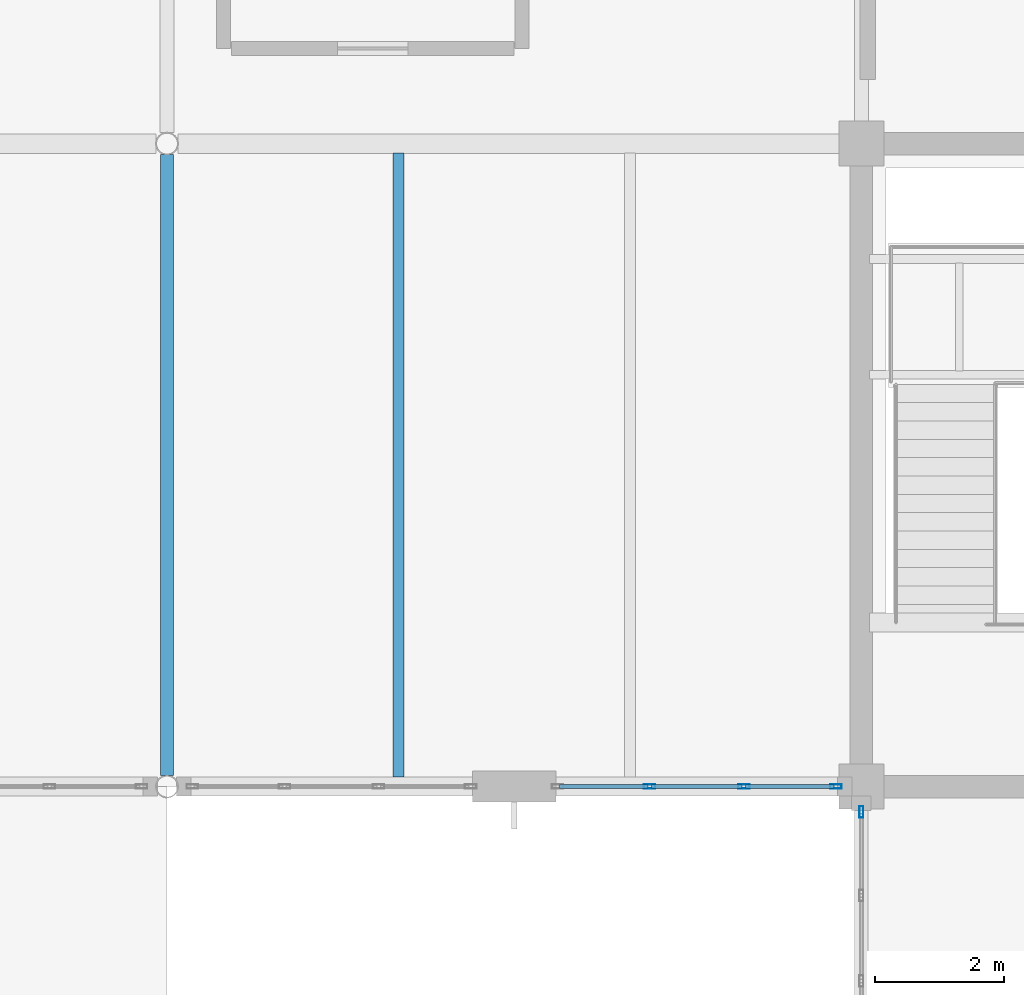
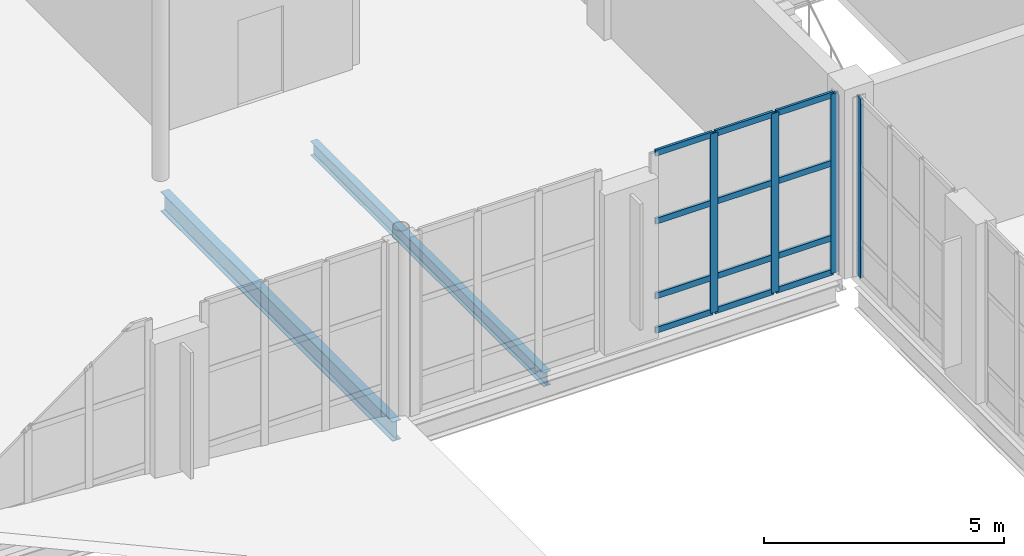
# One storey, part 37 of 92: 16 members, 2 beams, 2 elements without a shape of their own.
"""IFC4 building model written with IfcOpenShell, lengths in metres."""

from ifc_helpers import new_model, si_unit, direction, frame, origin, origin_2d, place, context, subcontext, project, spatial, hollow_rectangle, i_section, extrude, material, layer, layer_set, material_profile, profile_set, type_object, element, aggregate, save


model = new_model("IFC4")

# Units and contexts
model_context = context("Model", 3, precision=1e-05, world=origin(), true_north=direction((0.0, 1.0)))
body_context = subcontext(model_context, "Body", "Model", "MODEL_VIEW")
ifc_project = project(units=[si_unit("LENGTHUNIT", "METRE"), si_unit("AREAUNIT", "SQUARE_METRE"), si_unit("VOLUMEUNIT", "CUBIC_METRE"), si_unit("PLANEANGLEUNIT", "RADIAN"), si_unit("MASSUNIT", "GRAM", prefix="KILO")], contexts=[model_context])

# Site, building, storey
site_placement = place(None, origin())
site = spatial("IfcSite", under=ifc_project, at=site_placement, CompositionType="ELEMENT")
building_placement = place(site_placement, origin())
building = spatial("IfcBuilding", under=site, at=building_placement, Name="Tasgan Crest Museum", CompositionType="ELEMENT")
storey_placement = place(building_placement, frame((0.0, 0.0, 4.800048828125)))
storey = spatial("IfcBuildingStorey", under=building, at=storey_placement, Name="L01", CompositionType="ELEMENT", Elevation=4.800048828125)

# Beams
ifc_material_1 = material(Name="Steel S355J2", Category="steel")
ifc_material_profile_1 = material_profile(ifc_material_1, i_section(OverallWidth=0.199951171875, OverallDepth=0.5, WebThickness=0.01025390625, FlangeThickness=0.01611328125, FilletRadius=0.02099609375, at=origin_2d()), Name="IPE 500")
ifc_profile_set_1 = profile_set([ifc_material_profile_1], Name="Steel S355J2")
beam_type_1 = type_object("IfcBeamType", Name="BM-G-IPE500", PredefinedType="BEAM", material=ifc_profile_set_1)
beam_1_placement = place(storey_placement, frame((97.199951171875, 40.1728515625, -0.489990234375), z_axis=(0.0, 1.0, 0.0), x_axis=(-1.0, 0.0, 0.0)))
element("IfcBeam", 1, at=beam_1_placement, inside=storey, type_object=beam_type_1, Name="Beam L01 10 40.0-50.0", PredefinedType="BEAM", context=body_context, shape_type="SweptSolid", body=[
    extrude(i_section(OverallWidth=0.199951171875, OverallDepth=0.5, WebThickness=0.01025390625, FlangeThickness=0.01611328125, FilletRadius=0.02099609375, at=origin_2d()), origin(), (0.0, 0.0, 1.0), 9.654296875),
])
ifc_material_2 = material(Name="Steel S355J2", Category="steel")
ifc_material_profile_2 = material_profile(ifc_material_2, i_section(OverallWidth=0.169921875, OverallDepth=0.360107421875, WebThickness=0.008056640625, FlangeThickness=0.0126953125, FilletRadius=0.01806640625, at=origin_2d()), Name="IPE 360")
ifc_profile_set_2 = profile_set([ifc_material_profile_2], Name="Steel S355J2")
beam_type_2 = type_object("IfcBeamType", Name="BM-J-IPE360", PredefinedType="JOIST", material=ifc_profile_set_2)
beam_2_placement = place(storey_placement, frame((100.800048828125, 40.14501953125, -0.420166015625), z_axis=(0.0, 1.0, 0.0), x_axis=(-1.0, 0.0, 0.0)))
element("IfcBeam", 2, at=beam_2_placement, inside=storey, type_object=beam_type_2, Name="Secondary joist L01 X=100.8 Y=40.0-50.0", PredefinedType="JOIST", context=body_context, shape_type="SweptSolid", body=[
    extrude(i_section(OverallWidth=0.169921875, OverallDepth=0.360107421875, WebThickness=0.008056640625, FlangeThickness=0.0126953125, FilletRadius=0.01806640625, at=origin_2d()), origin(), (0.0, 0.0, 1.0), 9.7099609375),
])

# Curtain wall, members
ifc_material_3 = material(Name="Triple-Glazed Aluminium Curtain Wall", Category="aluminium")
ifc_layer_1 = layer(ifc_material_3, 0.179931640625, Name="CW-DRUM-X-48")
ifc_layer_set_1 = layer_set([ifc_layer_1], Name="Triple-Glazed Aluminium Curtain Wall")
curtain_wall_type_1 = type_object("IfcCurtainWallType", Name="CW-DRUM-X-48", PredefinedType="NOTDEFINED", material=ifc_layer_set_1)
curtain_wall_1_placement = place(storey_placement, origin())
curtain_wall_1 = element("IfcCurtainWall", 3, at=curtain_wall_1_placement, inside=storey, type_object=curtain_wall_type_1, Name="Curtain wall L01 036", PredefinedType="NOTDEFINED")
ifc_material_4 = material(Name="Anodised Aluminium", Category="aluminium")
ifc_material_profile_3 = material_profile(ifc_material_4, hollow_rectangle(XDim=0.06494140625, YDim=0.179931640625, WallThickness=0.0048828125, at=origin_2d()), Name="ALU MULLION 180x65x5")
ifc_profile_set_3 = profile_set([ifc_material_profile_3], Name="Anodised Aluminium")
member_type_1 = type_object("IfcMemberType", Name="CW-MULLION-180", PredefinedType="MULLION", material=ifc_profile_set_3)
member_1_placement = place(storey_placement, frame((104.708251953125, 40.0, 0.0), z_axis=(0.0, 0.0, 1.0), x_axis=(0.0, 1.0, 0.0)))
member_1 = element("IfcMember", 4, at=member_1_placement, type_object=member_type_1, Name="CW03 mullion 2", PredefinedType="MULLION", context=body_context, shape_type="SweptSolid", body=[
    extrude(hollow_rectangle(XDim=0.06494140625, YDim=0.179931640625, WallThickness=0.0048828125, at=origin_2d()), origin(), (0.0, 0.0, 1.0), 4.56005859375),
])
member_2_placement = place(storey_placement, frame((106.171630859375, 40.0, 0.0), z_axis=(0.0, 0.0, 1.0), x_axis=(0.0, 1.0, 0.0)))
member_2 = element("IfcMember", 5, at=member_2_placement, type_object=member_type_1, Name="CW03 mullion 3", PredefinedType="MULLION", context=body_context, shape_type="SweptSolid", body=[
    extrude(hollow_rectangle(XDim=0.06494140625, YDim=0.179931640625, WallThickness=0.0048828125, at=origin_2d()), origin(), (0.0, 0.0, 1.0), 4.56005859375),
])
member_3_placement = place(storey_placement, frame((107.60498046875, 40.0, 0.0), z_axis=(0.0, 0.0, 1.0), x_axis=(0.0, 1.0, 0.0)))
member_3 = element("IfcMember", 6, at=member_3_placement, type_object=member_type_1, Name="CW03 mullion 4", PredefinedType="MULLION", context=body_context, shape_type="SweptSolid", body=[
    extrude(hollow_rectangle(XDim=0.06494140625, YDim=0.179931640625, WallThickness=0.0048828125, at=origin_2d()), origin(), (0.0, 0.0, 1.0), 4.56005859375),
])

# Curtain wall, member
ifc_material_5 = material(Name="Triple-Glazed Aluminium Curtain Wall", Category="aluminium")
ifc_layer_2 = layer(ifc_material_5, 0.179931640625, Name="CW-PORCH-Y")
ifc_layer_set_2 = layer_set([ifc_layer_2], Name="Triple-Glazed Aluminium Curtain Wall")
curtain_wall_type_2 = type_object("IfcCurtainWallType", Name="CW-PORCH-Y", PredefinedType="NOTDEFINED", material=ifc_layer_set_2)
curtain_wall_2_placement = place(storey_placement, origin())
curtain_wall_2 = element("IfcCurtainWall", 7, at=curtain_wall_2_placement, inside=storey, type_object=curtain_wall_type_2, Name="Curtain wall L01 037", PredefinedType="NOTDEFINED")
member_4_placement = place(storey_placement, frame((108.0, 39.60498046875, 0.0), z_axis=(0.0, 0.0, 1.0), x_axis=(1.0, 0.0, 0.0)))
member_4 = element("IfcMember", 8, at=member_4_placement, type_object=member_type_1, Name="CW02 mullion 1", PredefinedType="MULLION", context=body_context, shape_type="SweptSolid", body=[
    extrude(hollow_rectangle(XDim=0.06494140625, YDim=0.179931640625, WallThickness=0.0048828125, at=origin_2d()), origin(), (0.0, 0.0, 1.0), 4.56005859375),
])
aggregate(curtain_wall_2, [member_4])

# Member
ifc_material_6 = material(Name="Anodised Aluminium", Category="aluminium")
ifc_material_profile_4 = material_profile(ifc_material_6, hollow_rectangle(XDim=0.06005859375, YDim=0.14990234375, WallThickness=0.0048828125, at=origin_2d()), Name="ALU TRANSOM 150x60x5")
ifc_profile_set_4 = profile_set([ifc_material_profile_4], Name="Anodised Aluminium")
member_type_2 = type_object("IfcMemberType", Name="CW-TRANSOM-150", PredefinedType="USERDEFINED", material=ifc_profile_set_4)
member_5_placement = place(storey_placement, frame((103.304931640625, 40.0, 0.030029296875), z_axis=(1.0, 0.0, 0.0), x_axis=(0.0, 1.0, 0.0)))
member_5 = element("IfcMember", 9, at=member_5_placement, type_object=member_type_2, Name="CW03 transom 1.1", ObjectType="TRANSOM", PredefinedType="USERDEFINED", context=body_context, shape_type="SweptSolid", body=[
    extrude(hollow_rectangle(XDim=0.06005859375, YDim=0.14990234375, WallThickness=0.0048828125, at=origin_2d()), origin(), (0.0, 0.0, 1.0), 1.373291015625),
])

member_6_placement = place(storey_placement, frame((103.304931640625, 40.0, 0.89990234375), z_axis=(1.0, 0.0, 0.0), x_axis=(0.0, 1.0, 0.0)))
member_6 = element("IfcMember", 10, at=member_6_placement, type_object=member_type_2, Name="CW03 transom 1.2", ObjectType="TRANSOM", PredefinedType="USERDEFINED", context=body_context, shape_type="SweptSolid", body=[
    extrude(hollow_rectangle(XDim=0.06005859375, YDim=0.14990234375, WallThickness=0.0048828125, at=origin_2d()), origin(), (0.0, 0.0, 1.0), 1.373291015625),
])

member_7_placement = place(storey_placement, frame((103.304931640625, 40.0, 2.800048828125), z_axis=(1.0, 0.0, 0.0), x_axis=(0.0, 1.0, 0.0)))
member_7 = element("IfcMember", 11, at=member_7_placement, type_object=member_type_2, Name="CW03 transom 1.3", ObjectType="TRANSOM", PredefinedType="USERDEFINED", context=body_context, shape_type="SweptSolid", body=[
    extrude(hollow_rectangle(XDim=0.06005859375, YDim=0.14990234375, WallThickness=0.0048828125, at=origin_2d()), origin(), (0.0, 0.0, 1.0), 1.373291015625),
])

member_8_placement = place(storey_placement, frame((103.304931640625, 40.0, 4.530029296875), z_axis=(1.0, 0.0, 0.0), x_axis=(0.0, 1.0, 0.0)))
member_8 = element("IfcMember", 12, at=member_8_placement, type_object=member_type_2, Name="CW03 transom 1.4", ObjectType="TRANSOM", PredefinedType="USERDEFINED", context=body_context, shape_type="SweptSolid", body=[
    extrude(hollow_rectangle(XDim=0.06005859375, YDim=0.14990234375, WallThickness=0.0048828125, at=origin_2d()), origin(), (0.0, 0.0, 1.0), 1.373291015625),
])

member_9_placement = place(storey_placement, frame((104.73828125, 40.0, 0.030029296875), z_axis=(1.0, 0.0, 0.0), x_axis=(0.0, 1.0, 0.0)))
member_9 = element("IfcMember", 13, at=member_9_placement, type_object=member_type_2, Name="CW03 transom 2.1", ObjectType="TRANSOM", PredefinedType="USERDEFINED", context=body_context, shape_type="SweptSolid", body=[
    extrude(hollow_rectangle(XDim=0.06005859375, YDim=0.14990234375, WallThickness=0.0048828125, at=origin_2d()), origin(), (0.0, 0.0, 1.0), 1.4033203125),
])

member_10_placement = place(storey_placement, frame((104.73828125, 40.0, 0.89990234375), z_axis=(1.0, 0.0, 0.0), x_axis=(0.0, 1.0, 0.0)))
member_10 = element("IfcMember", 14, at=member_10_placement, type_object=member_type_2, Name="CW03 transom 2.2", ObjectType="TRANSOM", PredefinedType="USERDEFINED", context=body_context, shape_type="SweptSolid", body=[
    extrude(hollow_rectangle(XDim=0.06005859375, YDim=0.14990234375, WallThickness=0.0048828125, at=origin_2d()), origin(), (0.0, 0.0, 1.0), 1.4033203125),
])

member_11_placement = place(storey_placement, frame((104.73828125, 40.0, 2.800048828125), z_axis=(1.0, 0.0, 0.0), x_axis=(0.0, 1.0, 0.0)))
member_11 = element("IfcMember", 15, at=member_11_placement, type_object=member_type_2, Name="CW03 transom 2.3", ObjectType="TRANSOM", PredefinedType="USERDEFINED", context=body_context, shape_type="SweptSolid", body=[
    extrude(hollow_rectangle(XDim=0.06005859375, YDim=0.14990234375, WallThickness=0.0048828125, at=origin_2d()), origin(), (0.0, 0.0, 1.0), 1.4033203125),
])

member_12_placement = place(storey_placement, frame((104.73828125, 40.0, 4.530029296875), z_axis=(1.0, 0.0, 0.0), x_axis=(0.0, 1.0, 0.0)))
member_12 = element("IfcMember", 16, at=member_12_placement, type_object=member_type_2, Name="CW03 transom 2.4", ObjectType="TRANSOM", PredefinedType="USERDEFINED", context=body_context, shape_type="SweptSolid", body=[
    extrude(hollow_rectangle(XDim=0.06005859375, YDim=0.14990234375, WallThickness=0.0048828125, at=origin_2d()), origin(), (0.0, 0.0, 1.0), 1.4033203125),
])

member_13_placement = place(storey_placement, frame((106.20166015625, 40.0, 0.030029296875), z_axis=(1.0, 0.0, 0.0), x_axis=(0.0, 1.0, 0.0)))
member_13 = element("IfcMember", 17, at=member_13_placement, type_object=member_type_2, Name="CW03 transom 3.1", ObjectType="TRANSOM", PredefinedType="USERDEFINED", context=body_context, shape_type="SweptSolid", body=[
    extrude(hollow_rectangle(XDim=0.06005859375, YDim=0.14990234375, WallThickness=0.0048828125, at=origin_2d()), origin(), (0.0, 0.0, 1.0), 1.373291015625),
])

member_14_placement = place(storey_placement, frame((106.20166015625, 40.0, 0.89990234375), z_axis=(1.0, 0.0, 0.0), x_axis=(0.0, 1.0, 0.0)))
member_14 = element("IfcMember", 18, at=member_14_placement, type_object=member_type_2, Name="CW03 transom 3.2", ObjectType="TRANSOM", PredefinedType="USERDEFINED", context=body_context, shape_type="SweptSolid", body=[
    extrude(hollow_rectangle(XDim=0.06005859375, YDim=0.14990234375, WallThickness=0.0048828125, at=origin_2d()), origin(), (0.0, 0.0, 1.0), 1.373291015625),
])

member_15_placement = place(storey_placement, frame((106.20166015625, 40.0, 2.800048828125), z_axis=(1.0, 0.0, 0.0), x_axis=(0.0, 1.0, 0.0)))
member_15 = element("IfcMember", 19, at=member_15_placement, type_object=member_type_2, Name="CW03 transom 3.3", ObjectType="TRANSOM", PredefinedType="USERDEFINED", context=body_context, shape_type="SweptSolid", body=[
    extrude(hollow_rectangle(XDim=0.06005859375, YDim=0.14990234375, WallThickness=0.0048828125, at=origin_2d()), origin(), (0.0, 0.0, 1.0), 1.373291015625),
])

member_16_placement = place(storey_placement, frame((106.20166015625, 40.0, 4.530029296875), z_axis=(1.0, 0.0, 0.0), x_axis=(0.0, 1.0, 0.0)))
member_16 = element("IfcMember", 20, at=member_16_placement, type_object=member_type_2, Name="CW03 transom 3.4", ObjectType="TRANSOM", PredefinedType="USERDEFINED", context=body_context, shape_type="SweptSolid", body=[
    extrude(hollow_rectangle(XDim=0.06005859375, YDim=0.14990234375, WallThickness=0.0048828125, at=origin_2d()), origin(), (0.0, 0.0, 1.0), 1.373291015625),
])

aggregate(curtain_wall_1, [member_1, member_2, member_3, member_5, member_6, member_7, member_8, member_9, member_10, member_11, member_12, member_13, member_14, member_15, member_16])

save(model, "model.ifc")
